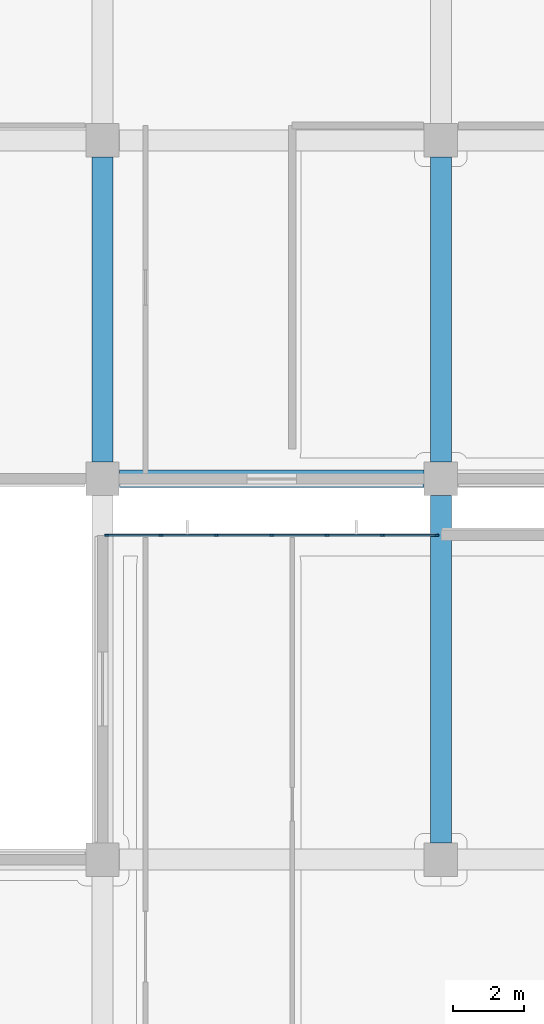
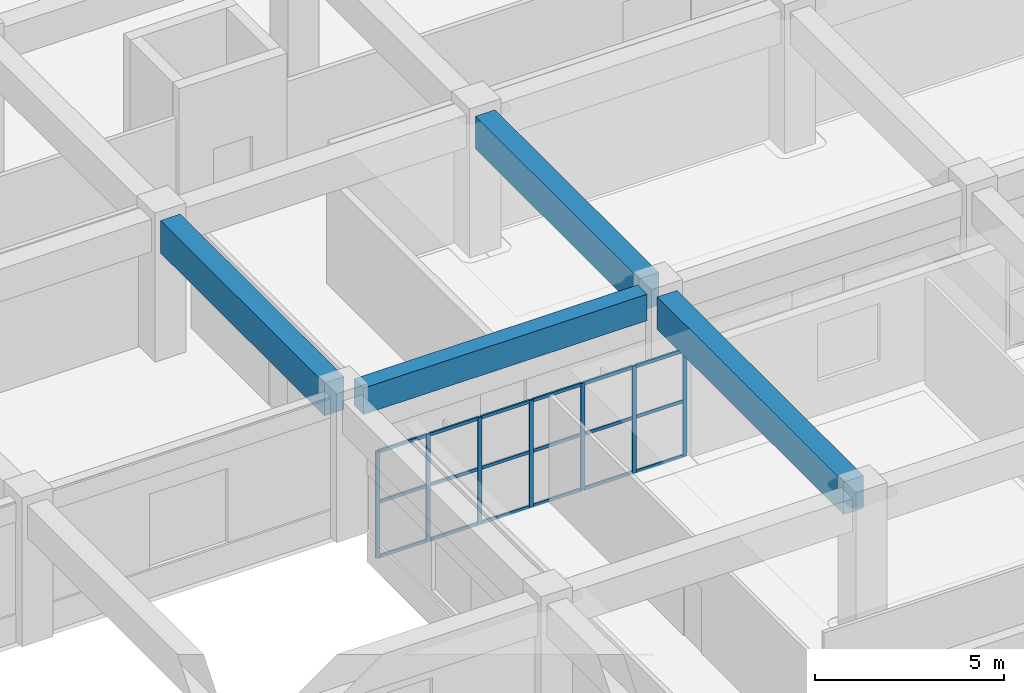
# One storey, part 14 of 86: 25 members, 4 beams, 1 element without a shape of its own.
"""IFC4 building model written with IfcOpenShell, lengths in metres."""

from ifc_helpers import new_model, si_unit, direction, frame, origin, origin_2d, place, context, subcontext, project, spatial, rectangle, extrude, material, layer, layer_set, material_profile, profile_set, type_object, element, aggregate, save


model = new_model("IFC4")

# Units and contexts
model_context = context("Model", 3, precision=1e-05, world=origin(), true_north=direction((0.0, 1.0)))
body_context = subcontext(model_context, "Body", "Model", "MODEL_VIEW")
ifc_project = project(units=[si_unit("LENGTHUNIT", "METRE"), si_unit("AREAUNIT", "SQUARE_METRE"), si_unit("VOLUMEUNIT", "CUBIC_METRE"), si_unit("PLANEANGLEUNIT", "RADIAN"), si_unit("MASSUNIT", "GRAM", prefix="KILO")], contexts=[model_context])

# Site, building, storey
site_placement = place(None, origin())
site = spatial("IfcSite", under=ifc_project, at=site_placement, CompositionType="ELEMENT")
building_placement = place(site_placement, origin())
building = spatial("IfcBuilding", under=site, at=building_placement, Name="Cendralis Terraced Arcade", CompositionType="ELEMENT")
storey_placement = place(building_placement, frame((0.0, 0.0, 5.39990234375)))
storey = spatial("IfcBuildingStorey", under=building, at=storey_placement, Name="L01", CompositionType="ELEMENT", Elevation=5.39990234375)

# Beams
ifc_material_1 = material(Name="Concrete f'c 35 MPa", Category="concrete")
ifc_material_profile_1 = material_profile(ifc_material_1, rectangle(XDim=0.5, YDim=0.85009765625, at=origin_2d()), Name="RC-BM-500x850", Category="LoadBearing")
ifc_profile_set_1 = profile_set([ifc_material_profile_1], Name="Concrete f'c 35 MPa")
beam_type_1 = type_object("IfcBeamType", Name="BM-500x850", PredefinedType="JOIST", material=ifc_profile_set_1)
beam_1_placement = place(storey_placement, frame((19.675048828125, 60.0, 4.090087890625), z_axis=(1.0, 0.0, 0.0), x_axis=(0.0, 1.0, 0.0)))
element("IfcBeam", 1, at=beam_1_placement, inside=storey, type_object=beam_type_1, Name="Terrace Support Girder TER-L02-V1-1", PredefinedType="JOIST", context=body_context, shape_type="SweptSolid", body=[
    extrude(rectangle(XDim=0.5, YDim=0.85009765625, at=origin_2d()), origin(), (0.0, 0.0, 1.0), 8.64990234375),
])
ifc_material_profile_2 = material_profile(ifc_material_1, rectangle(XDim=0.60009765625, YDim=1.050048828125, at=origin_2d()), Name="RC-BM-600x1050", Category="LoadBearing")
ifc_profile_set_2 = profile_set([ifc_material_profile_2], Name="Concrete f'c 35 MPa")
beam_type_2 = type_object("IfcBeamType", Name="BM-600x1050", PredefinedType="JOIST", material=ifc_profile_set_2)
beam_2_placement = place(storey_placement, frame((19.199951171875, 60.47509765625, 3.97998046875), z_axis=(0.0, 1.0, 0.0), x_axis=(-1.0, 0.0, 0.0)))
element("IfcBeam", 2, at=beam_2_placement, inside=storey, type_object=beam_type_2, Name="Reinforced Concrete Frame Beam BM-Y-L02-3-G_H", PredefinedType="JOIST", context=body_context, shape_type="SweptSolid", body=[
    extrude(rectangle(XDim=0.60009765625, YDim=1.050048828125, at=origin_2d()), origin(), (0.0, 0.0, 1.0), 8.64990234375),
])
beam_3_placement = place(storey_placement, frame((28.800048828125, 49.675048828125, 3.97998046875), z_axis=(0.0, 1.0, 0.0), x_axis=(-1.0, 0.0, 0.0)))
element("IfcBeam", 3, at=beam_3_placement, inside=storey, type_object=beam_type_2, Name="Reinforced Concrete Frame Beam BM-Y-L02-4-F_G", PredefinedType="JOIST", context=body_context, shape_type="SweptSolid", body=[
    extrude(rectangle(XDim=0.60009765625, YDim=1.050048828125, at=origin_2d()), origin(), (0.0, 0.0, 1.0), 9.849853515625),
])
beam_4_placement = place(storey_placement, frame((28.800048828125, 60.47509765625, 3.97998046875), z_axis=(0.0, 1.0, 0.0), x_axis=(-1.0, 0.0, 0.0)))
element("IfcBeam", 4, at=beam_4_placement, inside=storey, type_object=beam_type_2, Name="Reinforced Concrete Frame Beam BM-Y-L02-4-G_H", PredefinedType="JOIST", context=body_context, shape_type="SweptSolid", body=[
    extrude(rectangle(XDim=0.60009765625, YDim=1.050048828125, at=origin_2d()), origin(), (0.0, 0.0, 1.0), 8.64990234375),
])

# Curtain wall, members
ifc_material_2 = material(Name="Anodised aluminium EN AW-6063 T6", Category="aluminium")
ifc_layer = layer(ifc_material_2, 0.1201171875, Name="CW-STORE-B")
ifc_layer_set = layer_set([ifc_layer], Name="Anodised aluminium EN AW-6063 T6")
curtain_wall_type = type_object("IfcCurtainWallType", Name="CW-STORE-B", PredefinedType="USERDEFINED", material=ifc_layer_set)
curtain_wall_placement = place(storey_placement, origin())
curtain_wall = element("IfcCurtainWall", 5, at=curtain_wall_placement, inside=storey, type_object=curtain_wall_type, Name="Exterior Storefront Glazing CW-L01-0110", ObjectType="STOREFRONT GLAZING", PredefinedType="USERDEFINED")
ifc_material_profile_3 = material_profile(ifc_material_2, rectangle(XDim=0.054931640625, YDim=0.1201171875, at=origin_2d()), Name="ALU-MUL-55x120")
ifc_profile_set_3 = profile_set([ifc_material_profile_3], Name="Anodised aluminium EN AW-6063 T6")
member_type_1 = type_object("IfcMemberType", Name="CW-STORE-B-MUL", PredefinedType="MULLION", material=ifc_profile_set_3)
member_1_placement = place(storey_placement, frame((19.3173828125, 58.39990234375, 0.0), z_axis=(0.0, 0.0, 1.0), x_axis=(0.0, 1.0, 0.0)))
member_1 = element("IfcMember", 6, at=member_1_placement, type_object=member_type_1, Name="CW-S2 mullion 1", PredefinedType="MULLION", context=body_context, shape_type="SweptSolid", body=[
    extrude(rectangle(XDim=0.054931640625, YDim=0.1201171875, at=origin_2d()), origin(), (0.0, 0.0, 1.0), 3.445068359375),
])
member_2_placement = place(storey_placement, frame((20.860107421875, 58.39990234375, 0.0), z_axis=(0.0, 0.0, 1.0), x_axis=(0.0, 1.0, 0.0)))
member_2 = element("IfcMember", 7, at=member_2_placement, type_object=member_type_1, Name="CW-S2 mullion 2", PredefinedType="MULLION", context=body_context, shape_type="SweptSolid", body=[
    extrude(rectangle(XDim=0.054931640625, YDim=0.1201171875, at=origin_2d()), origin(), (0.0, 0.0, 1.0), 3.445068359375),
])
member_3_placement = place(storey_placement, frame((22.429931640625, 58.39990234375, 0.0), z_axis=(0.0, 0.0, 1.0), x_axis=(0.0, 1.0, 0.0)))
member_3 = element("IfcMember", 8, at=member_3_placement, type_object=member_type_1, Name="CW-S2 mullion 3", PredefinedType="MULLION", context=body_context, shape_type="SweptSolid", body=[
    extrude(rectangle(XDim=0.054931640625, YDim=0.1201171875, at=origin_2d()), origin(), (0.0, 0.0, 1.0), 3.445068359375),
])
member_4_placement = place(storey_placement, frame((24.0, 58.39990234375, 0.0), z_axis=(0.0, 0.0, 1.0), x_axis=(0.0, 1.0, 0.0)))
member_4 = element("IfcMember", 9, at=member_4_placement, type_object=member_type_1, Name="CW-S2 mullion 4", PredefinedType="MULLION", context=body_context, shape_type="SweptSolid", body=[
    extrude(rectangle(XDim=0.054931640625, YDim=0.1201171875, at=origin_2d()), origin(), (0.0, 0.0, 1.0), 3.445068359375),
])
member_5_placement = place(storey_placement, frame((25.570068359375, 58.39990234375, 0.0), z_axis=(0.0, 0.0, 1.0), x_axis=(0.0, 1.0, 0.0)))
member_5 = element("IfcMember", 10, at=member_5_placement, type_object=member_type_1, Name="CW-S2 mullion 5", PredefinedType="MULLION", context=body_context, shape_type="SweptSolid", body=[
    extrude(rectangle(XDim=0.054931640625, YDim=0.1201171875, at=origin_2d()), origin(), (0.0, 0.0, 1.0), 3.445068359375),
])
member_6_placement = place(storey_placement, frame((27.139892578125, 58.39990234375, 0.0), z_axis=(0.0, 0.0, 1.0), x_axis=(0.0, 1.0, 0.0)))
member_6 = element("IfcMember", 11, at=member_6_placement, type_object=member_type_1, Name="CW-S2 mullion 6", PredefinedType="MULLION", context=body_context, shape_type="SweptSolid", body=[
    extrude(rectangle(XDim=0.054931640625, YDim=0.1201171875, at=origin_2d()), origin(), (0.0, 0.0, 1.0), 3.445068359375),
])
member_7_placement = place(storey_placement, frame((28.6826171875, 58.39990234375, 0.0), z_axis=(0.0, 0.0, 1.0), x_axis=(0.0, 1.0, 0.0)))
member_7 = element("IfcMember", 12, at=member_7_placement, type_object=member_type_1, Name="CW-S2 mullion 7", PredefinedType="MULLION", context=body_context, shape_type="SweptSolid", body=[
    extrude(rectangle(XDim=0.054931640625, YDim=0.1201171875, at=origin_2d()), origin(), (0.0, 0.0, 1.0), 3.445068359375),
])
ifc_material_profile_4 = material_profile(ifc_material_2, rectangle(XDim=0.054931640625, YDim=0.10009765625, at=origin_2d()), Name="ALU-TRN-55x100")
ifc_profile_set_4 = profile_set([ifc_material_profile_4], Name="Anodised aluminium EN AW-6063 T6")
member_type_2 = type_object("IfcMemberType", Name="CW-STORE-B-TRN", PredefinedType="USERDEFINED", material=ifc_profile_set_4)
member_8_placement = place(storey_placement, frame((19.344970703125, 58.39990234375, 0.027587890625), z_axis=(1.0, 0.0, 0.0), x_axis=(0.0, 1.0, 0.0)))
member_8 = element("IfcMember", 13, at=member_8_placement, type_object=member_type_2, Name="CW-S2 transom 1.1", ObjectType="TRANSOM", PredefinedType="USERDEFINED", context=body_context, shape_type="SweptSolid", body=[
    extrude(rectangle(XDim=0.054931640625, YDim=0.10009765625, at=origin_2d()), origin(), (0.0, 0.0, 1.0), 1.487548828125),
])
member_9_placement = place(storey_placement, frame((19.344970703125, 58.39990234375, 1.79150390625), z_axis=(1.0, 0.0, 0.0), x_axis=(0.0, 1.0, 0.0)))
member_9 = element("IfcMember", 14, at=member_9_placement, type_object=member_type_2, Name="CW-S2 transom 1.2", ObjectType="TRANSOM", PredefinedType="USERDEFINED", context=body_context, shape_type="SweptSolid", body=[
    extrude(rectangle(XDim=0.054931640625, YDim=0.10009765625, at=origin_2d()), origin(), (0.0, 0.0, 1.0), 1.487548828125),
])
member_10_placement = place(storey_placement, frame((19.344970703125, 58.39990234375, 3.41748046875), z_axis=(1.0, 0.0, 0.0), x_axis=(0.0, 1.0, 0.0)))
member_10 = element("IfcMember", 15, at=member_10_placement, type_object=member_type_2, Name="CW-S2 transom 1.3", ObjectType="TRANSOM", PredefinedType="USERDEFINED", context=body_context, shape_type="SweptSolid", body=[
    extrude(rectangle(XDim=0.054931640625, YDim=0.10009765625, at=origin_2d()), origin(), (0.0, 0.0, 1.0), 1.487548828125),
])
member_11_placement = place(storey_placement, frame((20.887451171875, 58.39990234375, 0.027587890625), z_axis=(1.0, 0.0, 0.0), x_axis=(0.0, 1.0, 0.0)))
member_11 = element("IfcMember", 16, at=member_11_placement, type_object=member_type_2, Name="CW-S2 transom 2.1", ObjectType="TRANSOM", PredefinedType="USERDEFINED", context=body_context, shape_type="SweptSolid", body=[
    extrude(rectangle(XDim=0.054931640625, YDim=0.10009765625, at=origin_2d()), origin(), (0.0, 0.0, 1.0), 1.51513671875),
])
member_12_placement = place(storey_placement, frame((20.887451171875, 58.39990234375, 1.79150390625), z_axis=(1.0, 0.0, 0.0), x_axis=(0.0, 1.0, 0.0)))
member_12 = element("IfcMember", 17, at=member_12_placement, type_object=member_type_2, Name="CW-S2 transom 2.2", ObjectType="TRANSOM", PredefinedType="USERDEFINED", context=body_context, shape_type="SweptSolid", body=[
    extrude(rectangle(XDim=0.054931640625, YDim=0.10009765625, at=origin_2d()), origin(), (0.0, 0.0, 1.0), 1.51513671875),
])
member_13_placement = place(storey_placement, frame((20.887451171875, 58.39990234375, 3.41748046875), z_axis=(1.0, 0.0, 0.0), x_axis=(0.0, 1.0, 0.0)))
member_13 = element("IfcMember", 18, at=member_13_placement, type_object=member_type_2, Name="CW-S2 transom 2.3", ObjectType="TRANSOM", PredefinedType="USERDEFINED", context=body_context, shape_type="SweptSolid", body=[
    extrude(rectangle(XDim=0.054931640625, YDim=0.10009765625, at=origin_2d()), origin(), (0.0, 0.0, 1.0), 1.51513671875),
])
member_14_placement = place(storey_placement, frame((22.45751953125, 58.39990234375, 0.027587890625), z_axis=(1.0, 0.0, 0.0), x_axis=(0.0, 1.0, 0.0)))
member_14 = element("IfcMember", 19, at=member_14_placement, type_object=member_type_2, Name="CW-S2 transom 3.1", ObjectType="TRANSOM", PredefinedType="USERDEFINED", context=body_context, shape_type="SweptSolid", body=[
    extrude(rectangle(XDim=0.054931640625, YDim=0.10009765625, at=origin_2d()), origin(), (0.0, 0.0, 1.0), 1.514892578125),
])
member_15_placement = place(storey_placement, frame((22.45751953125, 58.39990234375, 1.79150390625), z_axis=(1.0, 0.0, 0.0), x_axis=(0.0, 1.0, 0.0)))
member_15 = element("IfcMember", 20, at=member_15_placement, type_object=member_type_2, Name="CW-S2 transom 3.2", ObjectType="TRANSOM", PredefinedType="USERDEFINED", context=body_context, shape_type="SweptSolid", body=[
    extrude(rectangle(XDim=0.054931640625, YDim=0.10009765625, at=origin_2d()), origin(), (0.0, 0.0, 1.0), 1.514892578125),
])
member_16_placement = place(storey_placement, frame((22.45751953125, 58.39990234375, 3.41748046875), z_axis=(1.0, 0.0, 0.0), x_axis=(0.0, 1.0, 0.0)))
member_16 = element("IfcMember", 21, at=member_16_placement, type_object=member_type_2, Name="CW-S2 transom 3.3", ObjectType="TRANSOM", PredefinedType="USERDEFINED", context=body_context, shape_type="SweptSolid", body=[
    extrude(rectangle(XDim=0.054931640625, YDim=0.10009765625, at=origin_2d()), origin(), (0.0, 0.0, 1.0), 1.514892578125),
])
member_17_placement = place(storey_placement, frame((24.027587890625, 58.39990234375, 0.027587890625), z_axis=(1.0, 0.0, 0.0), x_axis=(0.0, 1.0, 0.0)))
member_17 = element("IfcMember", 22, at=member_17_placement, type_object=member_type_2, Name="CW-S2 transom 4.1", ObjectType="TRANSOM", PredefinedType="USERDEFINED", context=body_context, shape_type="SweptSolid", body=[
    extrude(rectangle(XDim=0.054931640625, YDim=0.10009765625, at=origin_2d()), origin(), (0.0, 0.0, 1.0), 1.514892578125),
])
member_18_placement = place(storey_placement, frame((24.027587890625, 58.39990234375, 1.79150390625), z_axis=(1.0, 0.0, 0.0), x_axis=(0.0, 1.0, 0.0)))
member_18 = element("IfcMember", 23, at=member_18_placement, type_object=member_type_2, Name="CW-S2 transom 4.2", ObjectType="TRANSOM", PredefinedType="USERDEFINED", context=body_context, shape_type="SweptSolid", body=[
    extrude(rectangle(XDim=0.054931640625, YDim=0.10009765625, at=origin_2d()), origin(), (0.0, 0.0, 1.0), 1.514892578125),
])
member_19_placement = place(storey_placement, frame((24.027587890625, 58.39990234375, 3.41748046875), z_axis=(1.0, 0.0, 0.0), x_axis=(0.0, 1.0, 0.0)))
member_19 = element("IfcMember", 24, at=member_19_placement, type_object=member_type_2, Name="CW-S2 transom 4.3", ObjectType="TRANSOM", PredefinedType="USERDEFINED", context=body_context, shape_type="SweptSolid", body=[
    extrude(rectangle(XDim=0.054931640625, YDim=0.10009765625, at=origin_2d()), origin(), (0.0, 0.0, 1.0), 1.514892578125),
])
member_20_placement = place(storey_placement, frame((25.597412109375, 58.39990234375, 0.027587890625), z_axis=(1.0, 0.0, 0.0), x_axis=(0.0, 1.0, 0.0)))
member_20 = element("IfcMember", 25, at=member_20_placement, type_object=member_type_2, Name="CW-S2 transom 5.1", ObjectType="TRANSOM", PredefinedType="USERDEFINED", context=body_context, shape_type="SweptSolid", body=[
    extrude(rectangle(XDim=0.054931640625, YDim=0.10009765625, at=origin_2d()), origin(), (0.0, 0.0, 1.0), 1.51513671875),
])
member_21_placement = place(storey_placement, frame((25.597412109375, 58.39990234375, 1.79150390625), z_axis=(1.0, 0.0, 0.0), x_axis=(0.0, 1.0, 0.0)))
member_21 = element("IfcMember", 26, at=member_21_placement, type_object=member_type_2, Name="CW-S2 transom 5.2", ObjectType="TRANSOM", PredefinedType="USERDEFINED", context=body_context, shape_type="SweptSolid", body=[
    extrude(rectangle(XDim=0.054931640625, YDim=0.10009765625, at=origin_2d()), origin(), (0.0, 0.0, 1.0), 1.51513671875),
])
member_22_placement = place(storey_placement, frame((25.597412109375, 58.39990234375, 3.41748046875), z_axis=(1.0, 0.0, 0.0), x_axis=(0.0, 1.0, 0.0)))
member_22 = element("IfcMember", 27, at=member_22_placement, type_object=member_type_2, Name="CW-S2 transom 5.3", ObjectType="TRANSOM", PredefinedType="USERDEFINED", context=body_context, shape_type="SweptSolid", body=[
    extrude(rectangle(XDim=0.054931640625, YDim=0.10009765625, at=origin_2d()), origin(), (0.0, 0.0, 1.0), 1.51513671875),
])
member_23_placement = place(storey_placement, frame((27.16748046875, 58.39990234375, 0.027587890625), z_axis=(1.0, 0.0, 0.0), x_axis=(0.0, 1.0, 0.0)))
member_23 = element("IfcMember", 28, at=member_23_placement, type_object=member_type_2, Name="CW-S2 transom 6.1", ObjectType="TRANSOM", PredefinedType="USERDEFINED", context=body_context, shape_type="SweptSolid", body=[
    extrude(rectangle(XDim=0.054931640625, YDim=0.10009765625, at=origin_2d()), origin(), (0.0, 0.0, 1.0), 1.487548828125),
])
member_24_placement = place(storey_placement, frame((27.16748046875, 58.39990234375, 1.79150390625), z_axis=(1.0, 0.0, 0.0), x_axis=(0.0, 1.0, 0.0)))
member_24 = element("IfcMember", 29, at=member_24_placement, type_object=member_type_2, Name="CW-S2 transom 6.2", ObjectType="TRANSOM", PredefinedType="USERDEFINED", context=body_context, shape_type="SweptSolid", body=[
    extrude(rectangle(XDim=0.054931640625, YDim=0.10009765625, at=origin_2d()), origin(), (0.0, 0.0, 1.0), 1.487548828125),
])
member_25_placement = place(storey_placement, frame((27.16748046875, 58.39990234375, 3.41748046875), z_axis=(1.0, 0.0, 0.0), x_axis=(0.0, 1.0, 0.0)))
member_25 = element("IfcMember", 30, at=member_25_placement, type_object=member_type_2, Name="CW-S2 transom 6.3", ObjectType="TRANSOM", PredefinedType="USERDEFINED", context=body_context, shape_type="SweptSolid", body=[
    extrude(rectangle(XDim=0.054931640625, YDim=0.10009765625, at=origin_2d()), origin(), (0.0, 0.0, 1.0), 1.487548828125),
])
aggregate(curtain_wall, [member_1, member_2, member_3, member_4, member_5, member_6, member_7, member_8, member_9, member_10, member_11, member_12, member_13, member_14, member_15, member_16, member_17, member_18, member_19, member_20, member_21, member_22, member_23, member_24, member_25])

save(model, "model.ifc")
